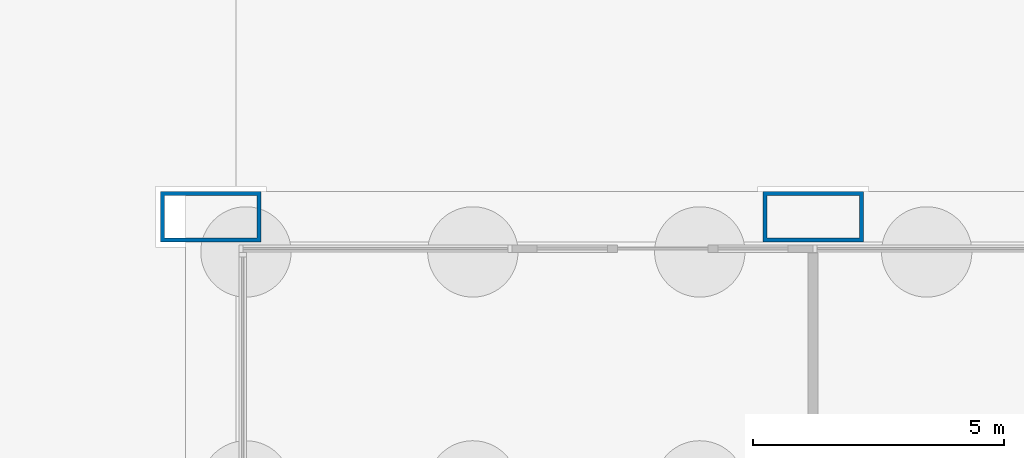
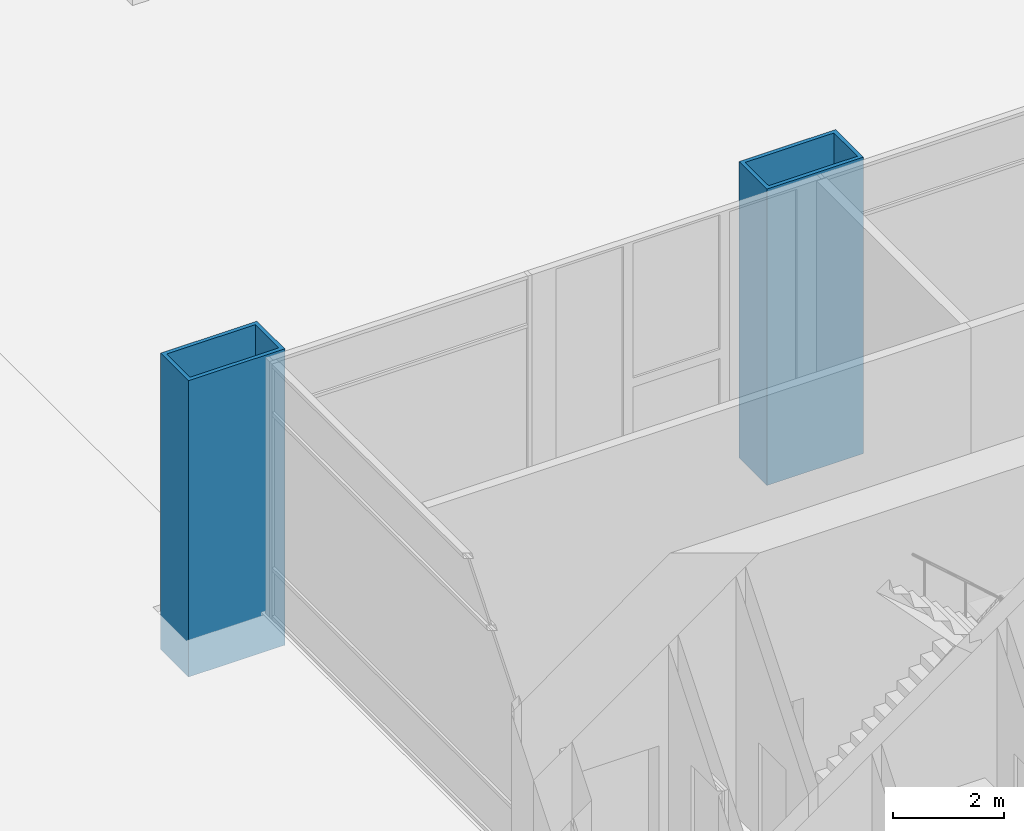
# One storey, part 8 of 29: 2 columns.
"""IFC4 building model written with IfcOpenShell, lengths in metres."""

from ifc_helpers import new_model, si_unit, direction, frame, origin, origin_2d, place, context, subcontext, project, spatial, hollow_rectangle, extrude, material, material_profile, profile_set, type_object, element, save


model = new_model("IFC4")

# Units and contexts
model_context = context("Model", 3, precision=1e-05, world=origin(), true_north=direction((0.0, 1.0)))
body_context = subcontext(model_context, "Body", "Model", "MODEL_VIEW")
ifc_project = project(units=[si_unit("LENGTHUNIT", "METRE"), si_unit("AREAUNIT", "SQUARE_METRE"), si_unit("VOLUMEUNIT", "CUBIC_METRE"), si_unit("PLANEANGLEUNIT", "RADIAN"), si_unit("MASSUNIT", "GRAM", prefix="KILO")], contexts=[model_context])

# Site, building, storey
site_placement = place(None, origin())
site = spatial("IfcSite", under=ifc_project, at=site_placement, CompositionType="ELEMENT")
building_placement = place(site_placement, origin())
building = spatial("IfcBuilding", under=site, at=building_placement, Name="Kitamizu Gate Tower and Museum", CompositionType="ELEMENT")
storey_placement = place(building_placement, origin())
storey = spatial("IfcBuildingStorey", under=building, at=storey_placement, Name="L00", CompositionType="ELEMENT", Elevation=0.0)

# Columns
ifc_material = material(Name="Steel SM490A bronze coated", Category="steel")
ifc_material_profile = material_profile(ifc_material, hollow_rectangle(XDim=2.0, YDim=1.0, WallThickness=0.080078125, at=origin_2d()), Name="BOX 2000x1000x80")
ifc_profile_set = profile_set([ifc_material_profile], Name="Steel SM490A bronze coated")
column_type = type_object("IfcColumnType", Name="Podium leg column LC1 BOX 2000x1000x80", PredefinedType="COLUMN", material=ifc_profile_set)
for number, where, z_axis, x_axis, name in (
    (1, (48.0, 48.0, -0.89990234375), (0.0, 0.0, 1.0), (1.0, 0.0, 0.0), "Column LC1 5E L00"),
    (2, (60.0, 48.0, -0.89990234375), (0.0, 0.0, 1.0), (1.0, 0.0, 0.0), "Column LC1 6E L00"),
):
    element("IfcColumn", number, at=place(storey_placement, frame(where, z_axis=z_axis, x_axis=x_axis)), inside=storey, type_object=column_type, Name=name, PredefinedType="COLUMN", context=body_context, shape_type="SweptSolid", body=[
        extrude(hollow_rectangle(XDim=2.0, YDim=1.0, WallThickness=0.080078125, at=origin_2d()), origin(), (0.0, 0.0, 1.0), 6.5),
    ])

save(model, "model.ifc")
